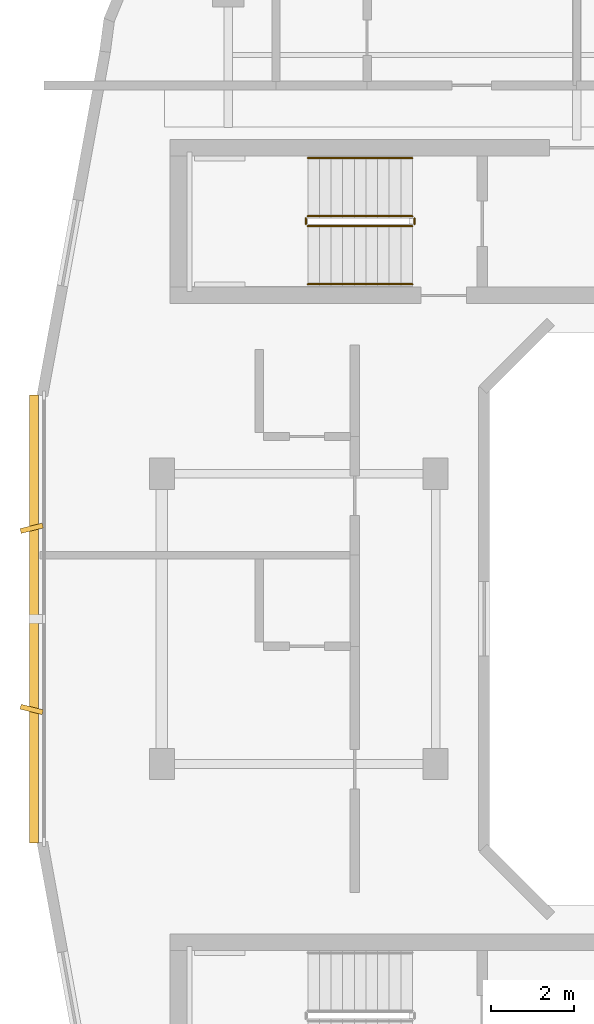
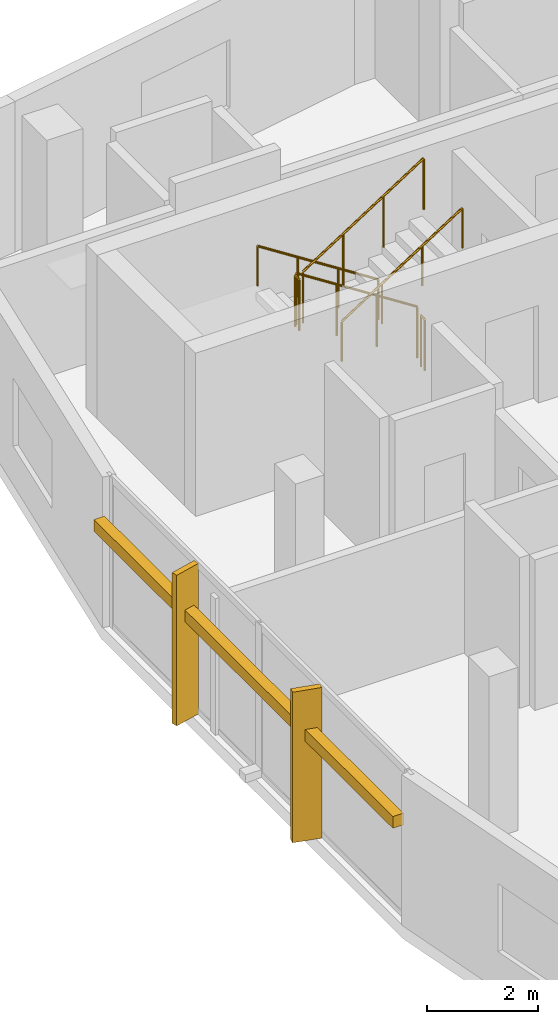
# One storey, part 9 of 10: 6 railings, 3 shading devices.
"""IFC4 building model written with IfcOpenShell, lengths in metres."""

from ifc_helpers import new_model, si_unit, derived_unit, direction, frame, origin, origin_2d, place, context, subcontext, project, spatial, rectangle, circle, extrude, material, type_object, element, save


model = new_model("IFC4")

# Units and contexts
model_context = context("Model", 3, precision=1e-05, world=origin(), true_north=direction((0.0, 1.0)))
body_context = subcontext(model_context, "Body", "Model", "MODEL_VIEW")
ifc_project = project(units=[si_unit("LENGTHUNIT", "METRE"), si_unit("AREAUNIT", "SQUARE_METRE"), si_unit("VOLUMEUNIT", "CUBIC_METRE"), si_unit("PLANEANGLEUNIT", "RADIAN"), si_unit("MASSUNIT", "GRAM", prefix="KILO"), derived_unit("THERMALTRANSMITTANCEUNIT", [(si_unit("POWERUNIT", "WATT"), 1), (si_unit("LENGTHUNIT", "METRE"), -2), (si_unit("THERMODYNAMICTEMPERATUREUNIT", "KELVIN"), -1)])], contexts=[model_context])

# Site, building, storey
site_placement = place(None, origin())
site = spatial("IfcSite", under=ifc_project, at=site_placement, CompositionType="ELEMENT")
building_placement = place(site_placement, origin())
building = spatial("IfcBuilding", under=site, at=building_placement, Name="Kivonza Crest Hotel", CompositionType="ELEMENT")
storey_placement = place(building_placement, frame((0.0, 0.0, 254.0)))
storey = spatial("IfcBuildingStorey", under=building, at=storey_placement, Name="L69", CompositionType="ELEMENT", Elevation=254.0)

# Railings
ifc_material_1 = material(Name="Brushed stainless steel handrail", Category="steel")
railing_type_1 = type_object("IfcRailingType", Name="RL-HAND-900", PredefinedType="HANDRAIL", material=ifc_material_1)
railing_1_placement = place(storey_placement, frame((12.239990234375, 36.110107421875, 0.179931640625)))
element("IfcRailing", 1, at=railing_1_placement, inside=storey, type_object=railing_type_1, Name="L69 ST-T1-N stair handrail 1", PredefinedType="HANDRAIL", context=body_context, shape_type="SweptSolid", body=[
    extrude(circle(Radius=0.02392578125, at=origin_2d()), frame((0.0, 0.0, 0.8759765625), z_axis=(-0.841162588446, 0.0, 0.540782303519), x_axis=(0.0, -1.0, 0.0)), (0.0, 0.0, 1.0), 2.995849609375),
    extrude(circle(Radius=0.02099609375, at=origin_2d()), origin(), (0.0, 0.0, 1.0), 0.851806640625),
    extrude(circle(Radius=0.02099609375, at=origin_2d()), frame((-0.840087890625, 0.0, 0.5400390625)), (0.0, 0.0, 1.0), 0.851806640625),
    extrude(circle(Radius=0.02099609375, at=origin_2d()), frame((-1.679931640625, 0.0, 1.080078125)), (0.0, 0.0, 1.0), 0.851806640625),
    extrude(circle(Radius=0.02099609375, at=origin_2d()), frame((-2.52001953125, 0.0, 1.6201171875)), (0.0, 0.0, 1.0), 0.851806640625),
])
railing_2_placement = place(storey_placement, frame((9.719970703125, 33.070068359375, 1.97998046875)))
element("IfcRailing", 2, at=railing_2_placement, inside=storey, type_object=railing_type_1, Name="L69 ST-T1-N stair handrail 2", PredefinedType="HANDRAIL", context=body_context, shape_type="SweptSolid", body=[
    extrude(circle(Radius=0.02392578125, at=origin_2d()), frame((0.0, 0.0, 0.8759765625), z_axis=(0.841162588446, 0.0, 0.540782303519), x_axis=(0.0, 1.0, 0.0)), (0.0, 0.0, 1.0), 2.995849609375),
    extrude(circle(Radius=0.02099609375, at=origin_2d()), origin(), (0.0, 0.0, 1.0), 0.851806640625),
    extrude(circle(Radius=0.02099609375, at=origin_2d()), frame((0.840087890625, 0.0, 0.5400390625)), (0.0, 0.0, 1.0), 0.851806640625),
    extrude(circle(Radius=0.02099609375, at=origin_2d()), frame((1.679931640625, 0.0, 1.080078125)), (0.0, 0.0, 1.0), 0.851806640625),
    extrude(circle(Radius=0.02099609375, at=origin_2d()), frame((2.52001953125, 0.0, 1.6201171875)), (0.0, 0.0, 1.0), 0.851806640625),
])
ifc_material_2 = material(Name="Painted steel balustrade", Category="steel")
railing_type_2 = type_object("IfcRailingType", Name="RL-STAIR-1150", PredefinedType="BALUSTRADE", material=ifc_material_2)
railing_3_placement = place(storey_placement, frame((12.239990234375, 34.7099609375, 0.179931640625)))
element("IfcRailing", 3, at=railing_3_placement, inside=storey, type_object=railing_type_2, Name="L69 ST-T1-N stair guard 1", PredefinedType="BALUSTRADE", context=body_context, shape_type="SweptSolid", body=[
    extrude(circle(Radius=0.02392578125, at=origin_2d()), frame((0.0, 0.0, 1.1259765625), z_axis=(-0.841162588446, 0.0, 0.540782303519), x_axis=(0.0, -1.0, 0.0)), (0.0, 0.0, 1.0), 2.995849609375),
    extrude(circle(Radius=0.02099609375, at=origin_2d()), origin(), (0.0, 0.0, 1.0), 1.101806640625),
    extrude(circle(Radius=0.02099609375, at=origin_2d()), frame((-0.840087890625, 0.0, 0.5400390625)), (0.0, 0.0, 1.0), 1.101806640625),
    extrude(circle(Radius=0.02099609375, at=origin_2d()), frame((-1.679931640625, 0.0, 1.080078125)), (0.0, 0.0, 1.0), 1.101806640625),
    extrude(circle(Radius=0.02099609375, at=origin_2d()), frame((-2.52001953125, 0.0, 1.6201171875)), (0.0, 0.0, 1.0), 1.101806640625),
])
railing_4_placement = place(storey_placement, frame((9.669921875, 34.659912109375, 1.800048828125)))
element("IfcRailing", 4, at=railing_4_placement, inside=storey, type_object=railing_type_2, Name="L69 ST-T1-N stair guard 2", PredefinedType="BALUSTRADE", context=body_context, shape_type="SweptSolid", body=[
    extrude(circle(Radius=0.02392578125, at=origin_2d()), frame((0.0, 0.0, 1.1259765625), z_axis=(0.0, -1.0, 0.0), x_axis=(1.0, 0.0, 0.0)), (0.0, 0.0, 1.0), 0.139892578125),
    extrude(circle(Radius=0.02099609375, at=origin_2d()), origin(), (0.0, 0.0, 1.0), 1.101806640625),
    extrude(circle(Radius=0.02099609375, at=origin_2d()), frame((0.0, -0.139892578125, 0.0)), (0.0, 0.0, 1.0), 1.101806640625),
])
railing_5_placement = place(storey_placement, frame((9.719970703125, 34.469970703125, 1.97998046875)))
element("IfcRailing", 5, at=railing_5_placement, inside=storey, type_object=railing_type_2, Name="L69 ST-T1-N stair guard 3", PredefinedType="BALUSTRADE", context=body_context, shape_type="SweptSolid", body=[
    extrude(circle(Radius=0.02392578125, at=origin_2d()), frame((0.0, 0.0, 1.1259765625), z_axis=(0.841162588446, 0.0, 0.540782303519), x_axis=(0.0, 1.0, 0.0)), (0.0, 0.0, 1.0), 2.995849609375),
    extrude(circle(Radius=0.02099609375, at=origin_2d()), origin(), (0.0, 0.0, 1.0), 1.101806640625),
    extrude(circle(Radius=0.02099609375, at=origin_2d()), frame((0.840087890625, 0.0, 0.5400390625)), (0.0, 0.0, 1.0), 1.101806640625),
    extrude(circle(Radius=0.02099609375, at=origin_2d()), frame((1.679931640625, 0.0, 1.080078125)), (0.0, 0.0, 1.0), 1.101806640625),
    extrude(circle(Radius=0.02099609375, at=origin_2d()), frame((2.52001953125, 0.0, 1.6201171875)), (0.0, 0.0, 1.0), 1.101806640625),
])
railing_6_placement = place(storey_placement, frame((12.2900390625, 34.659912109375, 0.0)))
element("IfcRailing", 6, at=railing_6_placement, inside=storey, type_object=railing_type_2, Name="L69 ST-T1-N stair guard 4", PredefinedType="BALUSTRADE", context=body_context, shape_type="SweptSolid", body=[
    extrude(circle(Radius=0.02392578125, at=origin_2d()), frame((0.0, 0.0, 1.1259765625), z_axis=(0.0, -1.0, 0.0), x_axis=(1.0, 0.0, 0.0)), (0.0, 0.0, 1.0), 0.139892578125),
    extrude(circle(Radius=0.02099609375, at=origin_2d()), origin(), (0.0, 0.0, 1.0), 1.101806640625),
    extrude(circle(Radius=0.02099609375, at=origin_2d()), frame((0.0, -0.139892578125, 0.0)), (0.0, 0.0, 1.0), 1.101806640625),
])

# Shading devices
ifc_material_3 = material(Name="Kiln-fired Nairobi red-ochre terracotta", Category="masonry")
shading_device_type_1 = type_object("IfcShadingDeviceType", Name="SH-BAGUETTE-300", PredefinedType="USERDEFINED", material=ifc_material_3)
shading_device_placement = place(storey_placement, frame((3.1201171875, 25.0, 2.19384765625), z_axis=(0.0, 0.0, 1.0), x_axis=(0.0, -1.0, 0.0)))
element("IfcShadingDevice", 7, at=shading_device_placement, inside=storey, type_object=shading_device_type_1, Name="L69 terracotta baguette screen CW-T1-L69-35", ObjectType="BAGUETTE", PredefinedType="USERDEFINED", context=body_context, shape_type="SweptSolid", body=[
    extrude(rectangle(XDim=10.800048828125, YDim=0.219970703125, at=origin_2d()), origin(), (0.0, 0.0, 1.0), 0.260009765625),
])
ifc_material_4 = material(Name="Kiln-fired terracotta over extruded aluminium spine", Category="masonry")
shading_device_type_2 = type_object("IfcShadingDeviceType", Name="SH-FIN-550", PredefinedType="USERDEFINED", material=ifc_material_4)
for number, where, z_axis, x_axis, name in (
    (8, (3.06005859375, 27.18408203125, 0.0), (0.0, 0.0, 1.0), (0.2419218956, -0.970295726276, 0.0), "L69 vertical solar shading fin CW-T1-L69-35-1"),
    (9, (3.06005859375, 22.81591796875, 0.0), (0.0, 0.0, 1.0), (-0.2419218956, -0.970295726276, 0.0), "L69 vertical solar shading fin CW-T1-L69-35-2"),
):
    element("IfcShadingDevice", number, at=place(storey_placement, frame(where, z_axis=z_axis, x_axis=x_axis)), inside=storey, type_object=shading_device_type_2, Name=name, ObjectType="FIN", PredefinedType="USERDEFINED", context=body_context, shape_type="SweptSolid", body=[
        extrude(rectangle(XDim=0.1201171875, YDim=0.550048828125, at=origin_2d()), origin(), (0.0, 0.0, 1.0), 3.320068359375),
    ])

save(model, "model.ifc")
